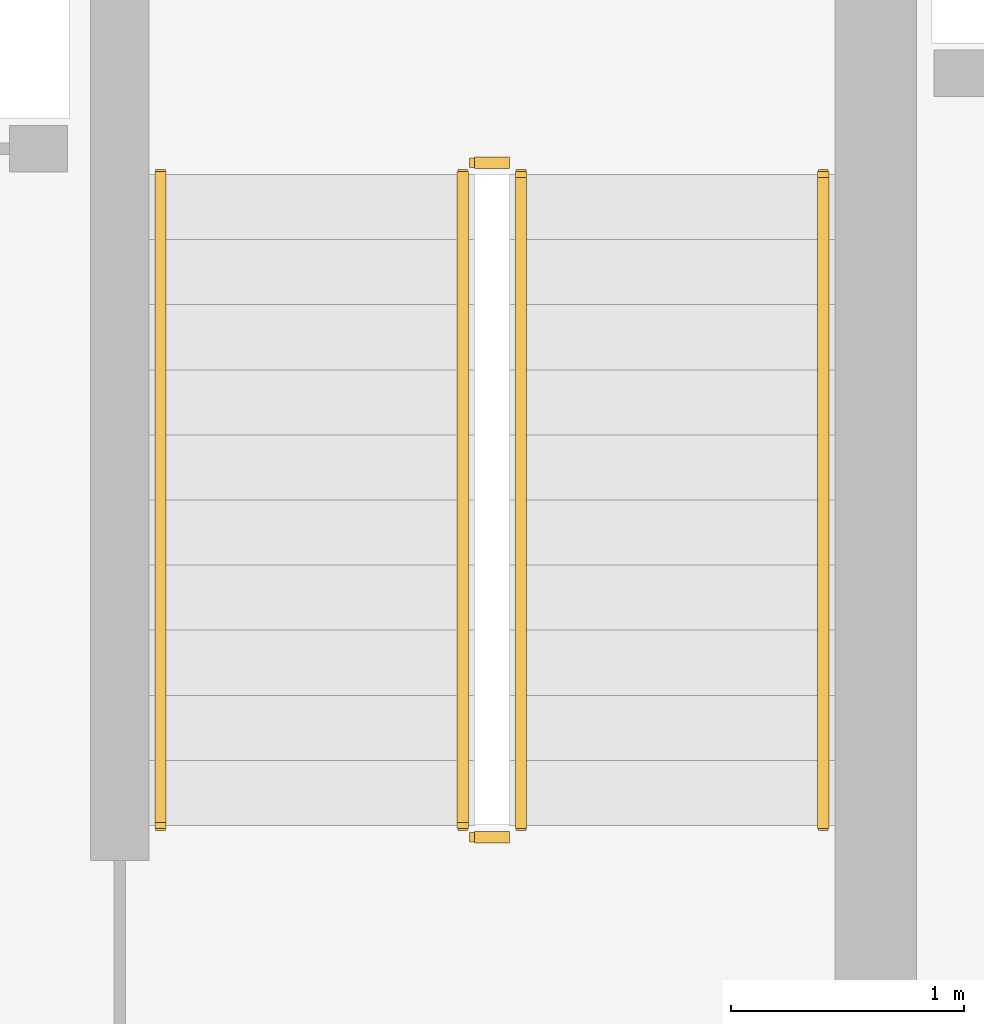
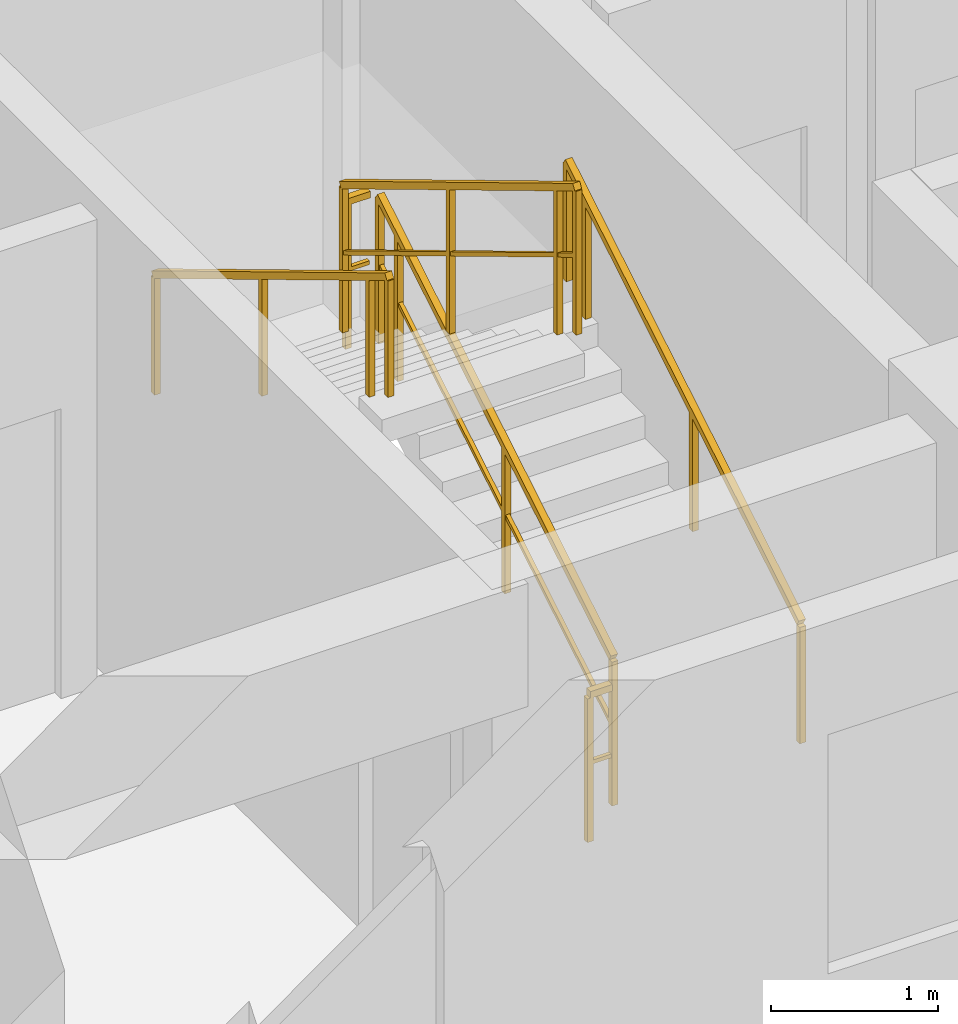
# One storey, part 23 of 24: 6 railings.
"""IFC4 building model written with IfcOpenShell, lengths in metres."""

from ifc_helpers import new_model, si_unit, direction, frame, origin, origin_2d, place, context, subcontext, project, spatial, rectangle, extrude, material, type_object, element, save


model = new_model("IFC4")

# Units and contexts
model_context = context("Model", 3, precision=1e-05, world=origin(), true_north=direction((0.0, 1.0)))
body_context = subcontext(model_context, "Body", "Model", "MODEL_VIEW")
ifc_project = project(units=[si_unit("LENGTHUNIT", "METRE"), si_unit("AREAUNIT", "SQUARE_METRE"), si_unit("VOLUMEUNIT", "CUBIC_METRE"), si_unit("PLANEANGLEUNIT", "RADIAN"), si_unit("MASSUNIT", "GRAM", prefix="KILO")], contexts=[model_context])

# Site, building, storey
site_placement = place(None, origin())
site = spatial("IfcSite", under=ifc_project, at=site_placement, CompositionType="ELEMENT")
building_placement = place(site_placement, origin())
building = spatial("IfcBuilding", under=site, at=building_placement, Name="Kaliganga Portal Commons", CompositionType="ELEMENT")
storey_placement = place(building_placement, frame((0.0, 0.0, 242.5)))
storey = spatial("IfcBuildingStorey", under=building, at=storey_placement, Name="L62", CompositionType="ELEMENT", Elevation=242.5)

# Railings
ifc_material_1 = material(Name="Galvanized Painted Steel Balustrade", Category="steel")
railing_type_1 = type_object("IfcRailingType", Name="RLG-STAIR-GRD", PredefinedType="GUARDRAIL", material=ifc_material_1)
railing_1_placement = place(storey_placement, frame((48.699951171875, 8.699951171875, 0.168212890625)))
element("IfcRailing", 1, at=railing_1_placement, inside=storey, type_object=railing_type_1, Name="L62 ST-B2 stair guard 1", PredefinedType="GUARDRAIL", context=body_context, shape_type="SweptSolid", body=[
    extrude(rectangle(XDim=0.048095703125, YDim=0.048095703125, at=origin_2d()), frame((0.0, 0.0, 1.072021484375), z_axis=(0.0, 0.857242210791, 0.514913383045), x_axis=(-1.0, 0.0, 0.0)), (0.0, 0.0, 1.0), 3.266357421875),
    extrude(rectangle(XDim=0.028076171875, YDim=0.028076171875, at=origin_2d()), frame((0.0, 0.0, 0.572021484375), z_axis=(0.0, 0.857242210791, 0.514913383045), x_axis=(-1.0, 0.0, 0.0)), (0.0, 0.0, 1.0), 3.266357421875),
    extrude(rectangle(XDim=0.0419921875, YDim=0.0419921875, at=origin_2d()), origin(), (0.0, 0.0, 1.0), 1.052001953125),
    extrude(rectangle(XDim=0.0419921875, YDim=0.0419921875, at=origin_2d()), frame((0.0, 1.285888671875, 0.7724609375)), (0.0, 0.0, 1.0), 1.052001953125),
    extrude(rectangle(XDim=0.0419921875, YDim=0.0419921875, at=origin_2d()), frame((0.0, 2.57177734375, 1.544677734375)), (0.0, 0.0, 1.0), 1.052001953125),
    extrude(rectangle(XDim=0.0419921875, YDim=0.0419921875, at=origin_2d()), frame((0.0, 2.800048828125, 1.681884765625)), (0.0, 0.0, 1.0), 1.052001953125),
])
railing_2_placement = place(storey_placement, frame((48.64990234375, 11.550048828125, 1.85009765625)))
element("IfcRailing", 2, at=railing_2_placement, inside=storey, type_object=railing_type_1, Name="L62 ST-B2 stair guard 2", PredefinedType="GUARDRAIL", context=body_context, shape_type="SweptSolid", body=[
    extrude(rectangle(XDim=0.048095703125, YDim=0.048095703125, at=origin_2d()), frame((0.0, 0.0, 1.076171875), z_axis=(-1.0, 0.0, 0.0), x_axis=(0.0, -1.0, 0.0)), (0.0, 0.0, 1.0), 0.14990234375),
    extrude(rectangle(XDim=0.028076171875, YDim=0.028076171875, at=origin_2d()), frame((0.0, 0.0, 0.572021484375), z_axis=(-1.0, 0.0, 0.0), x_axis=(0.0, -1.0, 0.0)), (0.0, 0.0, 1.0), 0.14990234375),
    extrude(rectangle(XDim=0.0419921875, YDim=0.0419921875, at=origin_2d()), frame((-0.14990234375, 0.0, 0.0)), (0.0, 0.0, 1.0), 1.052001953125),
])
railing_3_placement = place(storey_placement, frame((48.449951171875, 11.5, 2.01806640625)))
element("IfcRailing", 3, at=railing_3_placement, inside=storey, type_object=railing_type_1, Name="L62 ST-B2 stair guard 3", PredefinedType="GUARDRAIL", context=body_context, shape_type="SweptSolid", body=[
    extrude(rectangle(XDim=0.048095703125, YDim=0.048095703125, at=origin_2d()), frame((0.0, 0.0, 1.072021484375), z_axis=(0.0, -0.857242210791, 0.514913383045), x_axis=(1.0, 0.0, 0.0)), (0.0, 0.0, 1.0), 3.266357421875),
    extrude(rectangle(XDim=0.028076171875, YDim=0.028076171875, at=origin_2d()), frame((0.0, 0.0, 0.572021484375), z_axis=(0.0, -0.857242210791, 0.514913383045), x_axis=(1.0, 0.0, 0.0)), (0.0, 0.0, 1.0), 3.266357421875),
    extrude(rectangle(XDim=0.0419921875, YDim=0.0419921875, at=origin_2d()), origin(), (0.0, 0.0, 1.0), 1.052001953125),
    extrude(rectangle(XDim=0.0419921875, YDim=0.0419921875, at=origin_2d()), frame((0.0, -1.285888671875, 0.7724609375)), (0.0, 0.0, 1.0), 1.052001953125),
    extrude(rectangle(XDim=0.0419921875, YDim=0.0419921875, at=origin_2d()), frame((0.0, -2.57177734375, 1.544677734375)), (0.0, 0.0, 1.0), 1.052001953125),
    extrude(rectangle(XDim=0.0419921875, YDim=0.0419921875, at=origin_2d()), frame((0.0, -2.800048828125, 1.681884765625)), (0.0, 0.0, 1.0), 1.052001953125),
])
railing_4_placement = place(storey_placement, frame((48.64990234375, 8.64990234375, 0.0)))
element("IfcRailing", 4, at=railing_4_placement, inside=storey, type_object=railing_type_1, Name="L62 ST-B2 stair guard 4", PredefinedType="GUARDRAIL", context=body_context, shape_type="SweptSolid", body=[
    extrude(rectangle(XDim=0.048095703125, YDim=0.048095703125, at=origin_2d()), frame((0.0, 0.0, 1.076171875), z_axis=(-1.0, 0.0, 0.0), x_axis=(0.0, -1.0, 0.0)), (0.0, 0.0, 1.0), 0.14990234375),
    extrude(rectangle(XDim=0.028076171875, YDim=0.028076171875, at=origin_2d()), frame((0.0, 0.0, 0.572021484375), z_axis=(-1.0, 0.0, 0.0), x_axis=(0.0, -1.0, 0.0)), (0.0, 0.0, 1.0), 0.14990234375),
    extrude(rectangle(XDim=0.0419921875, YDim=0.0419921875, at=origin_2d()), frame((-0.14990234375, 0.0, 0.0)), (0.0, 0.0, 1.0), 1.052001953125),
])
ifc_material_2 = material(Name="Brushed Stainless Steel 316", Category="steel")
railing_type_2 = type_object("IfcRailingType", Name="RLG-STAIR-HR", PredefinedType="HANDRAIL", material=ifc_material_2)
railing_5_placement = place(storey_placement, frame((50.0, 8.699951171875, 0.168212890625)))
element("IfcRailing", 5, at=railing_5_placement, inside=storey, type_object=railing_type_2, Name="L62 ST-B2 stair handrail 1", PredefinedType="HANDRAIL", context=body_context, shape_type="SweptSolid", body=[
    extrude(rectangle(XDim=0.048095703125, YDim=0.048095703125, at=origin_2d()), frame((0.0, 0.0, 0.871826171875), z_axis=(0.0, 0.857242210791, 0.514913383045), x_axis=(-1.0, 0.0, 0.0)), (0.0, 0.0, 1.0), 3.266357421875),
    extrude(rectangle(XDim=0.0419921875, YDim=0.0419921875, at=origin_2d()), origin(), (0.0, 0.0, 1.0), 0.851806640625),
    extrude(rectangle(XDim=0.0419921875, YDim=0.0419921875, at=origin_2d()), frame((0.0, 1.285888671875, 0.7724609375)), (0.0, 0.0, 1.0), 0.851806640625),
    extrude(rectangle(XDim=0.0419921875, YDim=0.0419921875, at=origin_2d()), frame((0.0, 2.57177734375, 1.544677734375)), (0.0, 0.0, 1.0), 0.851806640625),
    extrude(rectangle(XDim=0.0419921875, YDim=0.0419921875, at=origin_2d()), frame((0.0, 2.800048828125, 1.681884765625)), (0.0, 0.0, 1.0), 0.851806640625),
])
railing_6_placement = place(storey_placement, frame((47.14990234375, 11.5, 2.01806640625)))
element("IfcRailing", 6, at=railing_6_placement, inside=storey, type_object=railing_type_2, Name="L62 ST-B2 stair handrail 2", PredefinedType="HANDRAIL", context=body_context, shape_type="SweptSolid", body=[
    extrude(rectangle(XDim=0.048095703125, YDim=0.048095703125, at=origin_2d()), frame((0.0, 0.0, 0.871826171875), z_axis=(0.0, -0.857242210791, 0.514913383045), x_axis=(1.0, 0.0, 0.0)), (0.0, 0.0, 1.0), 3.266357421875),
    extrude(rectangle(XDim=0.0419921875, YDim=0.0419921875, at=origin_2d()), origin(), (0.0, 0.0, 1.0), 0.851806640625),
    extrude(rectangle(XDim=0.0419921875, YDim=0.0419921875, at=origin_2d()), frame((0.0, -1.285888671875, 0.7724609375)), (0.0, 0.0, 1.0), 0.851806640625),
    extrude(rectangle(XDim=0.0419921875, YDim=0.0419921875, at=origin_2d()), frame((0.0, -2.57177734375, 1.544677734375)), (0.0, 0.0, 1.0), 0.851806640625),
    extrude(rectangle(XDim=0.0419921875, YDim=0.0419921875, at=origin_2d()), frame((0.0, -2.800048828125, 1.681884765625)), (0.0, 0.0, 1.0), 0.851806640625),
])

save(model, "model.ifc")
